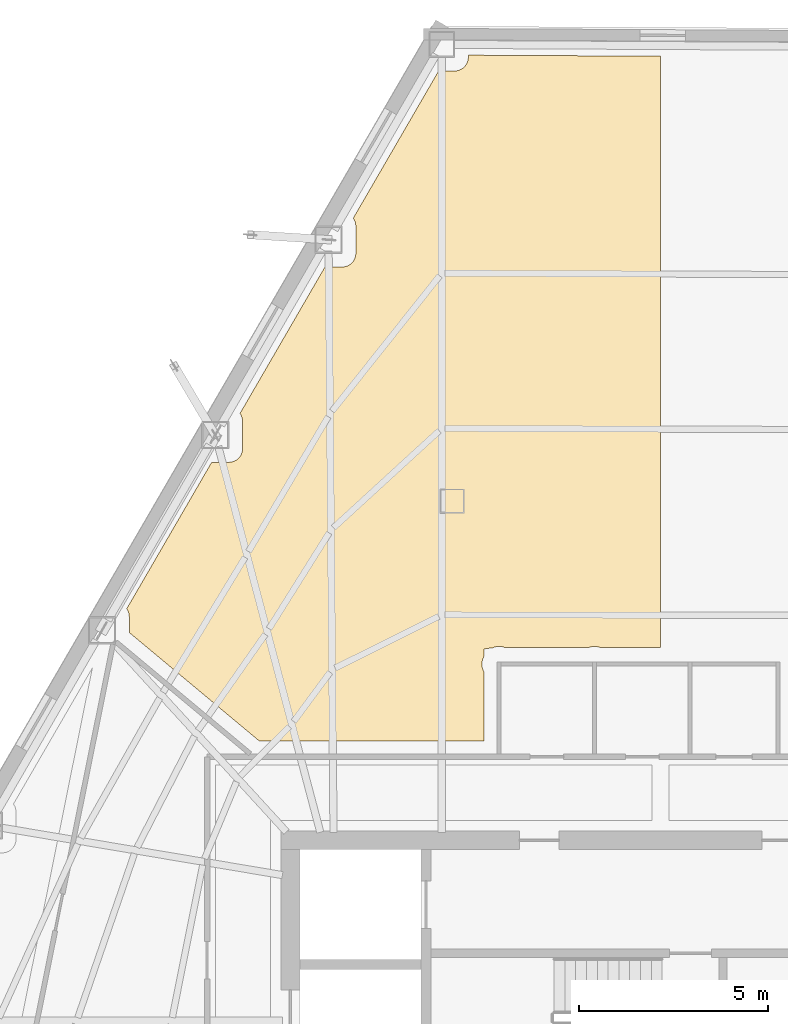
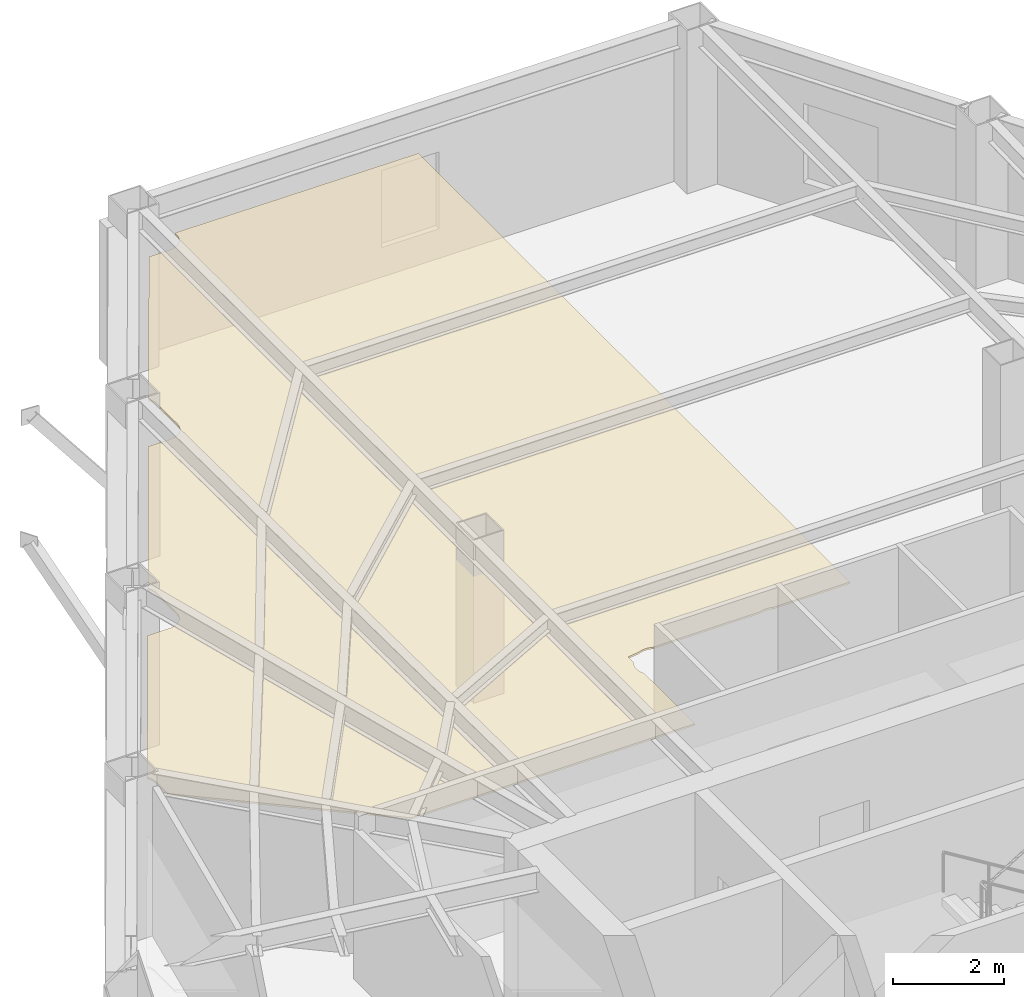
# One storey, part 13 of 13: 1 covering.
"""IFC4 building model written with IfcOpenShell, lengths in metres."""

from ifc_helpers import new_model, si_unit, direction, frame, origin, place, context, subcontext, project, spatial, polyline, outline, extrude, material, layer, layer_set, type_object, element, save


model = new_model("IFC4")

# Units and contexts
model_context = context("Model", 3, precision=1e-05, world=origin(), true_north=direction((0.0, 1.0)))
body_context = subcontext(model_context, "Body", "Model", "MODEL_VIEW")
ifc_project = project(units=[si_unit("LENGTHUNIT", "METRE"), si_unit("AREAUNIT", "SQUARE_METRE"), si_unit("VOLUMEUNIT", "CUBIC_METRE"), si_unit("PLANEANGLEUNIT", "RADIAN"), si_unit("MASSUNIT", "GRAM", prefix="KILO")], contexts=[model_context])

# Site, building, storey
site_placement = place(None, origin())
site = spatial("IfcSite", under=ifc_project, at=site_placement, CompositionType="ELEMENT")
building_placement = place(site_placement, origin())
building = spatial("IfcBuilding", under=site, at=building_placement, Name="Kavelnor Concourse Tower", CompositionType="ELEMENT")
storey_placement = place(building_placement, frame((0.0, 0.0, 124.0)))
storey = spatial("IfcBuildingStorey", under=building, at=storey_placement, Name="L31", CompositionType="ELEMENT", Elevation=124.0)

# Covering
ifc_material = material(Name="Mineral fibre acoustic ceiling tile")
ifc_layer = layer(ifc_material, 0.0400390625, Name="Mineral fibre acoustic ceiling tile")
ifc_layer_set = layer_set([ifc_layer], Name="Mineral fibre acoustic ceiling tile")
covering_type = type_object("IfcCoveringType", Name="COV-CEILING-ACOUSTIC", PredefinedType="CEILING", material=ifc_layer_set)
covering_placement = place(storey_placement, frame((0.0, 0.0, 2.75)))
element("IfcCovering", 1, at=covering_placement, inside=storey, type_object=covering_type, Name="L31 Suspended Acoustic Ceiling", PredefinedType="CEILING", context=body_context, shape_type="SweptSolid", body=[
    extrude(outline(polyline([(26.642333984375, 32.826904296875), (26.677490234375, 32.832275390625), (26.711669921875, 32.8408203125), (26.7451171875, 32.852783203125), (26.777099609375, 32.867919921875), (26.807373046875, 32.885986328125), (26.835693359375, 32.906982421875), (26.86181640625, 32.930908203125), (26.8857421875, 32.95703125), (26.90673828125, 32.985595703125), (26.925048828125, 33.015869140625), (26.940185546875, 33.0478515625), (26.951904296875, 33.0810546875), (26.960693359375, 33.115478515625), (26.9658203125, 33.150390625), (26.967041015625, 33.177490234375), (26.967041015625, 33.9140625), (26.9658203125, 33.94091796875), (26.960693359375, 33.97607421875), (26.951904296875, 34.01025390625), (26.940185546875, 34.043701171875), (26.925048828125, 34.07568359375), (26.90673828125, 34.10595703125), (26.900634765625, 34.1142578125), (29.142578125, 37.979736328125), (29.604736328125, 37.979736328125), (29.631591796875, 37.98095703125), (29.666748046875, 37.986083984375), (29.700927734375, 37.994873046875), (29.734375, 38.006591796875), (29.766357421875, 38.021728515625), (29.796630859375, 38.0400390625), (29.824951171875, 38.06103515625), (29.851318359375, 38.0849609375), (29.875, 38.111083984375), (29.89599609375, 38.139404296875), (29.914306640625, 38.169921875), (29.929443359375, 38.201904296875), (29.94140625, 38.235107421875), (29.949951171875, 38.269287109375), (29.955078125, 38.304443359375), (29.956298828125, 38.331298828125), (29.956298828125, 39.068115234375), (29.955078125, 39.094970703125), (29.949951171875, 39.1298828125), (29.94140625, 39.164306640625), (29.929443359375, 39.197509765625), (29.914306640625, 39.2294921875), (29.89599609375, 39.260009765625), (29.889892578125, 39.268310546875), (32.1435546875, 43.15380859375), (32.57421875, 43.15380859375), (32.60107421875, 43.155029296875), (32.635986328125, 43.160400390625), (32.67041015625, 43.1689453125), (32.70361328125, 43.180908203125), (32.735595703125, 43.19580078125), (32.76611328125, 43.214111328125), (32.79443359375, 43.235107421875), (32.820556640625, 43.259033203125), (32.844482421875, 43.28515625), (32.865478515625, 43.313720703125), (32.8837890625, 43.343994140625), (32.898681640625, 43.3759765625), (32.91064453125, 43.4091796875), (32.919189453125, 43.443603515625), (32.924560546875, 43.478515625), (32.92578125, 43.505615234375), (32.92578125, 43.570068359375), (37.9951171875, 43.54296875), (37.9951171875, 27.94091796875), (36.39990234375, 27.93994140625), (36.377685546875, 27.947998046875), (36.339111328125, 27.95751953125), (36.2998046875, 27.96337890625), (36.260009765625, 27.96533203125), (36.22021484375, 27.96337890625), (36.180908203125, 27.95751953125), (36.142333984375, 27.947998046875), (36.123291015625, 27.941162109375), (33.8798828125, 27.93994140625), (33.857666015625, 27.947998046875), (33.819091796875, 27.95751953125), (33.77978515625, 27.96337890625), (33.739990234375, 27.96533203125), (33.7001953125, 27.96337890625), (33.660888671875, 27.95751953125), (33.622314453125, 27.947998046875), (33.5849609375, 27.9345703125), (33.573486328125, 27.92919921875), (33.340087890625, 27.899658203125), (33.340087890625, 27.70361328125), (33.33251953125, 27.691162109375), (33.3154296875, 27.655029296875), (33.302001953125, 27.61767578125), (33.29248046875, 27.5791015625), (33.28662109375, 27.539794921875), (33.28466796875, 27.5), (33.28662109375, 27.460205078125), (33.29248046875, 27.4208984375), (33.302001953125, 27.38232421875), (33.3154296875, 27.344970703125), (33.33251953125, 27.308837890625), (33.3349609375, 27.3046875), (33.3349609375, 25.472412109375), (27.406982421875, 25.472412109375), (23.977783203125, 28.33154296875), (23.977783203125, 28.760009765625), (23.9765625, 28.786865234375), (23.97119140625, 28.822021484375), (23.962646484375, 28.856201171875), (23.95068359375, 28.889404296875), (23.935791015625, 28.92138671875), (23.91748046875, 28.951904296875), (23.9111328125, 28.960205078125), (26.1533203125, 32.82568359375), (26.615478515625, 32.82568359375), (26.642333984375, 32.826904296875)])), origin(), (0.0, 0.0, 1.0), 0.0400390625),
])

save(model, "model.ifc")
